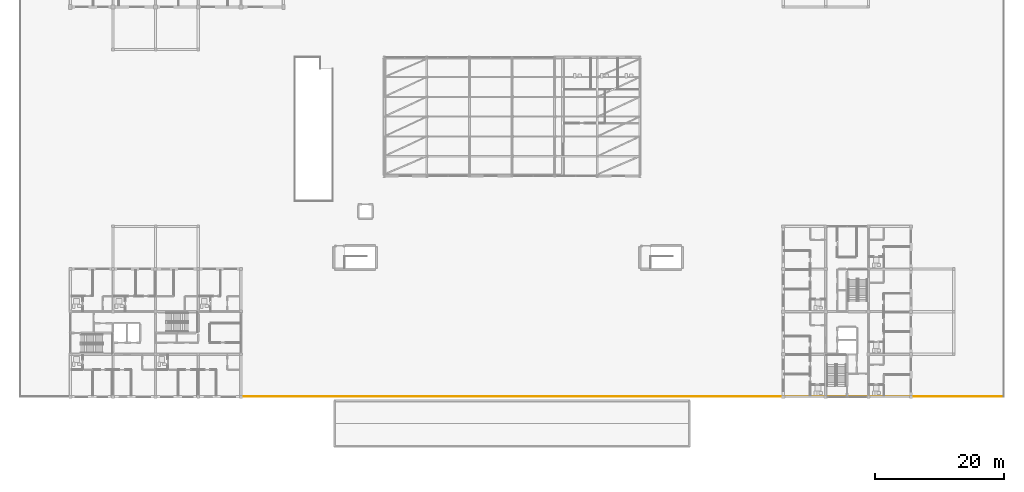
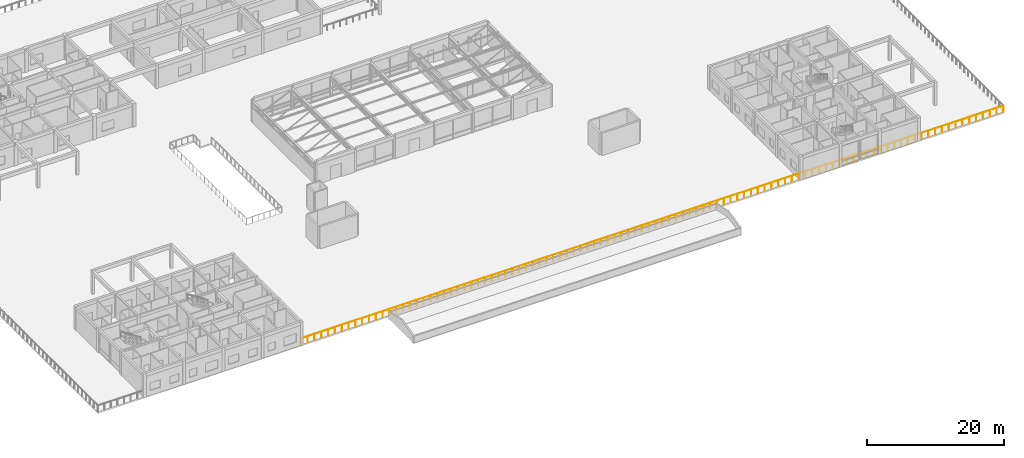
# One storey, part 83 of 92: 1 railing.
"""IFC4 building model written with IfcOpenShell, lengths in metres."""

from ifc_helpers import new_model, si_unit, direction, frame, origin, origin_2d, place, context, subcontext, project, spatial, circle, extrude, material, type_object, element, save


model = new_model("IFC4")

# Units and contexts
model_context = context("Model", 3, precision=1e-05, world=origin(), true_north=direction((0.0, 1.0)))
body_context = subcontext(model_context, "Body", "Model", "MODEL_VIEW")
ifc_project = project(units=[si_unit("LENGTHUNIT", "METRE"), si_unit("AREAUNIT", "SQUARE_METRE"), si_unit("VOLUMEUNIT", "CUBIC_METRE"), si_unit("PLANEANGLEUNIT", "RADIAN"), si_unit("MASSUNIT", "GRAM", prefix="KILO")], contexts=[model_context])

# Site, building, storey
site_placement = place(None, origin())
site = spatial("IfcSite", under=ifc_project, at=site_placement, CompositionType="ELEMENT")
building_placement = place(site_placement, origin())
building = spatial("IfcBuilding", under=site, at=building_placement, Name="Kernevlak Ridge Housing Community", CompositionType="ELEMENT")
storey_placement = place(building_placement, frame((0.0, 0.0, 4.199951171875)))
storey = spatial("IfcBuildingStorey", under=building, at=storey_placement, Name="L01", CompositionType="ELEMENT", Elevation=4.199951171875)

# Railing
ifc_material = material(Name="Steel S355", Category="steel")
railing_type = type_object("IfcRailingType", Name="GR-01", PredefinedType="GUARDRAIL", material=ifc_material)
railing_placement = place(storey_placement, frame((42.0, 15.64990234375, 0.0)))
element("IfcRailing", 1, at=railing_placement, inside=storey, type_object=railing_type, Name="L01 civic plaza perimeter guard GR-01 60", PredefinedType="GUARDRAIL", context=body_context, shape_type="SweptSolid", body=[
    extrude(circle(Radius=0.02392578125, at=origin_2d()), frame((0.0, 0.0, 1.09619140625), z_axis=(1.0, 0.0, 0.0), x_axis=(0.0, 1.0, 0.0)), (0.0, 0.0, 1.0), 118.14990234375),
    extrude(circle(Radius=0.02099609375, at=origin_2d()), origin(), (0.0, 0.0, 1.0), 1.072021484375),
    extrude(circle(Radius=0.02099609375, at=origin_2d()), frame((1.14697265625, 0.0, 0.0)), (0.0, 0.0, 1.0), 1.072021484375),
    extrude(circle(Radius=0.02099609375, at=origin_2d()), frame((2.294189453125, 0.0, 0.0)), (0.0, 0.0, 1.0), 1.072021484375),
    extrude(circle(Radius=0.02099609375, at=origin_2d()), frame((3.441162109375, 0.0, 0.0)), (0.0, 0.0, 1.0), 1.072021484375),
    extrude(circle(Radius=0.02099609375, at=origin_2d()), frame((4.58837890625, 0.0, 0.0)), (0.0, 0.0, 1.0), 1.072021484375),
    extrude(circle(Radius=0.02099609375, at=origin_2d()), frame((5.7353515625, 0.0, 0.0)), (0.0, 0.0, 1.0), 1.072021484375),
    extrude(circle(Radius=0.02099609375, at=origin_2d()), frame((6.882568359375, 0.0, 0.0)), (0.0, 0.0, 1.0), 1.072021484375),
    extrude(circle(Radius=0.02099609375, at=origin_2d()), frame((8.029541015625, 0.0, 0.0)), (0.0, 0.0, 1.0), 1.072021484375),
    extrude(circle(Radius=0.02099609375, at=origin_2d()), frame((9.1767578125, 0.0, 0.0)), (0.0, 0.0, 1.0), 1.072021484375),
    extrude(circle(Radius=0.02099609375, at=origin_2d()), frame((10.32373046875, 0.0, 0.0)), (0.0, 0.0, 1.0), 1.072021484375),
    extrude(circle(Radius=0.02099609375, at=origin_2d()), frame((11.470947265625, 0.0, 0.0)), (0.0, 0.0, 1.0), 1.072021484375),
    extrude(circle(Radius=0.02099609375, at=origin_2d()), frame((12.617919921875, 0.0, 0.0)), (0.0, 0.0, 1.0), 1.072021484375),
    extrude(circle(Radius=0.02099609375, at=origin_2d()), frame((13.76513671875, 0.0, 0.0)), (0.0, 0.0, 1.0), 1.072021484375),
    extrude(circle(Radius=0.02099609375, at=origin_2d()), frame((14.912109375, 0.0, 0.0)), (0.0, 0.0, 1.0), 1.072021484375),
    extrude(circle(Radius=0.02099609375, at=origin_2d()), frame((16.059326171875, 0.0, 0.0)), (0.0, 0.0, 1.0), 1.072021484375),
    extrude(circle(Radius=0.02099609375, at=origin_2d()), frame((17.206298828125, 0.0, 0.0)), (0.0, 0.0, 1.0), 1.072021484375),
    extrude(circle(Radius=0.02099609375, at=origin_2d()), frame((18.353271484375, 0.0, 0.0)), (0.0, 0.0, 1.0), 1.072021484375),
    extrude(circle(Radius=0.02099609375, at=origin_2d()), frame((19.50048828125, 0.0, 0.0)), (0.0, 0.0, 1.0), 1.072021484375),
    extrude(circle(Radius=0.02099609375, at=origin_2d()), frame((20.6474609375, 0.0, 0.0)), (0.0, 0.0, 1.0), 1.072021484375),
    extrude(circle(Radius=0.02099609375, at=origin_2d()), frame((21.794677734375, 0.0, 0.0)), (0.0, 0.0, 1.0), 1.072021484375),
    extrude(circle(Radius=0.02099609375, at=origin_2d()), frame((22.941650390625, 0.0, 0.0)), (0.0, 0.0, 1.0), 1.072021484375),
    extrude(circle(Radius=0.02099609375, at=origin_2d()), frame((24.0888671875, 0.0, 0.0)), (0.0, 0.0, 1.0), 1.072021484375),
    extrude(circle(Radius=0.02099609375, at=origin_2d()), frame((25.23583984375, 0.0, 0.0)), (0.0, 0.0, 1.0), 1.072021484375),
    extrude(circle(Radius=0.02099609375, at=origin_2d()), frame((26.383056640625, 0.0, 0.0)), (0.0, 0.0, 1.0), 1.072021484375),
    extrude(circle(Radius=0.02099609375, at=origin_2d()), frame((27.530029296875, 0.0, 0.0)), (0.0, 0.0, 1.0), 1.072021484375),
    extrude(circle(Radius=0.02099609375, at=origin_2d()), frame((28.67724609375, 0.0, 0.0)), (0.0, 0.0, 1.0), 1.072021484375),
    extrude(circle(Radius=0.02099609375, at=origin_2d()), frame((29.82421875, 0.0, 0.0)), (0.0, 0.0, 1.0), 1.072021484375),
    extrude(circle(Radius=0.02099609375, at=origin_2d()), frame((30.971435546875, 0.0, 0.0)), (0.0, 0.0, 1.0), 1.072021484375),
    extrude(circle(Radius=0.02099609375, at=origin_2d()), frame((32.118408203125, 0.0, 0.0)), (0.0, 0.0, 1.0), 1.072021484375),
    extrude(circle(Radius=0.02099609375, at=origin_2d()), frame((33.265625, 0.0, 0.0)), (0.0, 0.0, 1.0), 1.072021484375),
    extrude(circle(Radius=0.02099609375, at=origin_2d()), frame((34.41259765625, 0.0, 0.0)), (0.0, 0.0, 1.0), 1.072021484375),
    extrude(circle(Radius=0.02099609375, at=origin_2d()), frame((35.5595703125, 0.0, 0.0)), (0.0, 0.0, 1.0), 1.072021484375),
    extrude(circle(Radius=0.02099609375, at=origin_2d()), frame((36.706787109375, 0.0, 0.0)), (0.0, 0.0, 1.0), 1.072021484375),
    extrude(circle(Radius=0.02099609375, at=origin_2d()), frame((37.853759765625, 0.0, 0.0)), (0.0, 0.0, 1.0), 1.072021484375),
    extrude(circle(Radius=0.02099609375, at=origin_2d()), frame((39.0009765625, 0.0, 0.0)), (0.0, 0.0, 1.0), 1.072021484375),
    extrude(circle(Radius=0.02099609375, at=origin_2d()), frame((40.14794921875, 0.0, 0.0)), (0.0, 0.0, 1.0), 1.072021484375),
    extrude(circle(Radius=0.02099609375, at=origin_2d()), frame((41.295166015625, 0.0, 0.0)), (0.0, 0.0, 1.0), 1.072021484375),
    extrude(circle(Radius=0.02099609375, at=origin_2d()), frame((42.442138671875, 0.0, 0.0)), (0.0, 0.0, 1.0), 1.072021484375),
    extrude(circle(Radius=0.02099609375, at=origin_2d()), frame((43.58935546875, 0.0, 0.0)), (0.0, 0.0, 1.0), 1.072021484375),
    extrude(circle(Radius=0.02099609375, at=origin_2d()), frame((44.736328125, 0.0, 0.0)), (0.0, 0.0, 1.0), 1.072021484375),
    extrude(circle(Radius=0.02099609375, at=origin_2d()), frame((45.883544921875, 0.0, 0.0)), (0.0, 0.0, 1.0), 1.072021484375),
    extrude(circle(Radius=0.02099609375, at=origin_2d()), frame((47.030517578125, 0.0, 0.0)), (0.0, 0.0, 1.0), 1.072021484375),
    extrude(circle(Radius=0.02099609375, at=origin_2d()), frame((48.177734375, 0.0, 0.0)), (0.0, 0.0, 1.0), 1.072021484375),
    extrude(circle(Radius=0.02099609375, at=origin_2d()), frame((49.32470703125, 0.0, 0.0)), (0.0, 0.0, 1.0), 1.072021484375),
    extrude(circle(Radius=0.02099609375, at=origin_2d()), frame((50.471923828125, 0.0, 0.0)), (0.0, 0.0, 1.0), 1.072021484375),
    extrude(circle(Radius=0.02099609375, at=origin_2d()), frame((51.618896484375, 0.0, 0.0)), (0.0, 0.0, 1.0), 1.072021484375),
    extrude(circle(Radius=0.02099609375, at=origin_2d()), frame((52.765869140625, 0.0, 0.0)), (0.0, 0.0, 1.0), 1.072021484375),
    extrude(circle(Radius=0.02099609375, at=origin_2d()), frame((53.9130859375, 0.0, 0.0)), (0.0, 0.0, 1.0), 1.072021484375),
    extrude(circle(Radius=0.02099609375, at=origin_2d()), frame((55.06005859375, 0.0, 0.0)), (0.0, 0.0, 1.0), 1.072021484375),
    extrude(circle(Radius=0.02099609375, at=origin_2d()), frame((56.207275390625, 0.0, 0.0)), (0.0, 0.0, 1.0), 1.072021484375),
    extrude(circle(Radius=0.02099609375, at=origin_2d()), frame((57.354248046875, 0.0, 0.0)), (0.0, 0.0, 1.0), 1.072021484375),
    extrude(circle(Radius=0.02099609375, at=origin_2d()), frame((58.50146484375, 0.0, 0.0)), (0.0, 0.0, 1.0), 1.072021484375),
    extrude(circle(Radius=0.02099609375, at=origin_2d()), frame((59.6484375, 0.0, 0.0)), (0.0, 0.0, 1.0), 1.072021484375),
    extrude(circle(Radius=0.02099609375, at=origin_2d()), frame((60.795654296875, 0.0, 0.0)), (0.0, 0.0, 1.0), 1.072021484375),
    extrude(circle(Radius=0.02099609375, at=origin_2d()), frame((61.942626953125, 0.0, 0.0)), (0.0, 0.0, 1.0), 1.072021484375),
    extrude(circle(Radius=0.02099609375, at=origin_2d()), frame((63.08984375, 0.0, 0.0)), (0.0, 0.0, 1.0), 1.072021484375),
    extrude(circle(Radius=0.02099609375, at=origin_2d()), frame((64.23681640625, 0.0, 0.0)), (0.0, 0.0, 1.0), 1.072021484375),
    extrude(circle(Radius=0.02099609375, at=origin_2d()), frame((65.384033203125, 0.0, 0.0)), (0.0, 0.0, 1.0), 1.072021484375),
    extrude(circle(Radius=0.02099609375, at=origin_2d()), frame((66.531005859375, 0.0, 0.0)), (0.0, 0.0, 1.0), 1.072021484375),
    extrude(circle(Radius=0.02099609375, at=origin_2d()), frame((67.677978515625, 0.0, 0.0)), (0.0, 0.0, 1.0), 1.072021484375),
    extrude(circle(Radius=0.02099609375, at=origin_2d()), frame((68.8251953125, 0.0, 0.0)), (0.0, 0.0, 1.0), 1.072021484375),
    extrude(circle(Radius=0.02099609375, at=origin_2d()), frame((69.97216796875, 0.0, 0.0)), (0.0, 0.0, 1.0), 1.072021484375),
    extrude(circle(Radius=0.02099609375, at=origin_2d()), frame((71.119384765625, 0.0, 0.0)), (0.0, 0.0, 1.0), 1.072021484375),
    extrude(circle(Radius=0.02099609375, at=origin_2d()), frame((72.266357421875, 0.0, 0.0)), (0.0, 0.0, 1.0), 1.072021484375),
    extrude(circle(Radius=0.02099609375, at=origin_2d()), frame((73.41357421875, 0.0, 0.0)), (0.0, 0.0, 1.0), 1.072021484375),
    extrude(circle(Radius=0.02099609375, at=origin_2d()), frame((74.560546875, 0.0, 0.0)), (0.0, 0.0, 1.0), 1.072021484375),
    extrude(circle(Radius=0.02099609375, at=origin_2d()), frame((75.707763671875, 0.0, 0.0)), (0.0, 0.0, 1.0), 1.072021484375),
    extrude(circle(Radius=0.02099609375, at=origin_2d()), frame((76.854736328125, 0.0, 0.0)), (0.0, 0.0, 1.0), 1.072021484375),
    extrude(circle(Radius=0.02099609375, at=origin_2d()), frame((78.001953125, 0.0, 0.0)), (0.0, 0.0, 1.0), 1.072021484375),
    extrude(circle(Radius=0.02099609375, at=origin_2d()), frame((79.14892578125, 0.0, 0.0)), (0.0, 0.0, 1.0), 1.072021484375),
    extrude(circle(Radius=0.02099609375, at=origin_2d()), frame((80.296142578125, 0.0, 0.0)), (0.0, 0.0, 1.0), 1.072021484375),
    extrude(circle(Radius=0.02099609375, at=origin_2d()), frame((81.443115234375, 0.0, 0.0)), (0.0, 0.0, 1.0), 1.072021484375),
    extrude(circle(Radius=0.02099609375, at=origin_2d()), frame((82.59033203125, 0.0, 0.0)), (0.0, 0.0, 1.0), 1.072021484375),
    extrude(circle(Radius=0.02099609375, at=origin_2d()), frame((83.7373046875, 0.0, 0.0)), (0.0, 0.0, 1.0), 1.072021484375),
    extrude(circle(Radius=0.02099609375, at=origin_2d()), frame((84.88427734375, 0.0, 0.0)), (0.0, 0.0, 1.0), 1.072021484375),
    extrude(circle(Radius=0.02099609375, at=origin_2d()), frame((86.031494140625, 0.0, 0.0)), (0.0, 0.0, 1.0), 1.072021484375),
    extrude(circle(Radius=0.02099609375, at=origin_2d()), frame((87.178466796875, 0.0, 0.0)), (0.0, 0.0, 1.0), 1.072021484375),
    extrude(circle(Radius=0.02099609375, at=origin_2d()), frame((88.32568359375, 0.0, 0.0)), (0.0, 0.0, 1.0), 1.072021484375),
    extrude(circle(Radius=0.02099609375, at=origin_2d()), frame((89.47265625, 0.0, 0.0)), (0.0, 0.0, 1.0), 1.072021484375),
    extrude(circle(Radius=0.02099609375, at=origin_2d()), frame((90.619873046875, 0.0, 0.0)), (0.0, 0.0, 1.0), 1.072021484375),
    extrude(circle(Radius=0.02099609375, at=origin_2d()), frame((91.766845703125, 0.0, 0.0)), (0.0, 0.0, 1.0), 1.072021484375),
    extrude(circle(Radius=0.02099609375, at=origin_2d()), frame((92.9140625, 0.0, 0.0)), (0.0, 0.0, 1.0), 1.072021484375),
    extrude(circle(Radius=0.02099609375, at=origin_2d()), frame((94.06103515625, 0.0, 0.0)), (0.0, 0.0, 1.0), 1.072021484375),
    extrude(circle(Radius=0.02099609375, at=origin_2d()), frame((95.208251953125, 0.0, 0.0)), (0.0, 0.0, 1.0), 1.072021484375),
    extrude(circle(Radius=0.02099609375, at=origin_2d()), frame((96.355224609375, 0.0, 0.0)), (0.0, 0.0, 1.0), 1.072021484375),
    extrude(circle(Radius=0.02099609375, at=origin_2d()), frame((97.50244140625, 0.0, 0.0)), (0.0, 0.0, 1.0), 1.072021484375),
    extrude(circle(Radius=0.02099609375, at=origin_2d()), frame((98.6494140625, 0.0, 0.0)), (0.0, 0.0, 1.0), 1.072021484375),
    extrude(circle(Radius=0.02099609375, at=origin_2d()), frame((99.796630859375, 0.0, 0.0)), (0.0, 0.0, 1.0), 1.072021484375),
    extrude(circle(Radius=0.02099609375, at=origin_2d()), frame((100.943603515625, 0.0, 0.0)), (0.0, 0.0, 1.0), 1.072021484375),
    extrude(circle(Radius=0.02099609375, at=origin_2d()), frame((102.090576171875, 0.0, 0.0)), (0.0, 0.0, 1.0), 1.072021484375),
    extrude(circle(Radius=0.02099609375, at=origin_2d()), frame((103.23779296875, 0.0, 0.0)), (0.0, 0.0, 1.0), 1.072021484375),
    extrude(circle(Radius=0.02099609375, at=origin_2d()), frame((104.384765625, 0.0, 0.0)), (0.0, 0.0, 1.0), 1.072021484375),
    extrude(circle(Radius=0.02099609375, at=origin_2d()), frame((105.531982421875, 0.0, 0.0)), (0.0, 0.0, 1.0), 1.072021484375),
    extrude(circle(Radius=0.02099609375, at=origin_2d()), frame((106.678955078125, 0.0, 0.0)), (0.0, 0.0, 1.0), 1.072021484375),
    extrude(circle(Radius=0.02099609375, at=origin_2d()), frame((107.826171875, 0.0, 0.0)), (0.0, 0.0, 1.0), 1.072021484375),
    extrude(circle(Radius=0.02099609375, at=origin_2d()), frame((108.97314453125, 0.0, 0.0)), (0.0, 0.0, 1.0), 1.072021484375),
    extrude(circle(Radius=0.02099609375, at=origin_2d()), frame((110.120361328125, 0.0, 0.0)), (0.0, 0.0, 1.0), 1.072021484375),
    extrude(circle(Radius=0.02099609375, at=origin_2d()), frame((111.267333984375, 0.0, 0.0)), (0.0, 0.0, 1.0), 1.072021484375),
    extrude(circle(Radius=0.02099609375, at=origin_2d()), frame((112.41455078125, 0.0, 0.0)), (0.0, 0.0, 1.0), 1.072021484375),
    extrude(circle(Radius=0.02099609375, at=origin_2d()), frame((113.5615234375, 0.0, 0.0)), (0.0, 0.0, 1.0), 1.072021484375),
    extrude(circle(Radius=0.02099609375, at=origin_2d()), frame((114.708740234375, 0.0, 0.0)), (0.0, 0.0, 1.0), 1.072021484375),
    extrude(circle(Radius=0.02099609375, at=origin_2d()), frame((115.855712890625, 0.0, 0.0)), (0.0, 0.0, 1.0), 1.072021484375),
    extrude(circle(Radius=0.02099609375, at=origin_2d()), frame((117.0029296875, 0.0, 0.0)), (0.0, 0.0, 1.0), 1.072021484375),
    extrude(circle(Radius=0.02099609375, at=origin_2d()), frame((118.14990234375, 0.0, 0.0)), (0.0, 0.0, 1.0), 1.072021484375),
])

save(model, "model.ifc")
